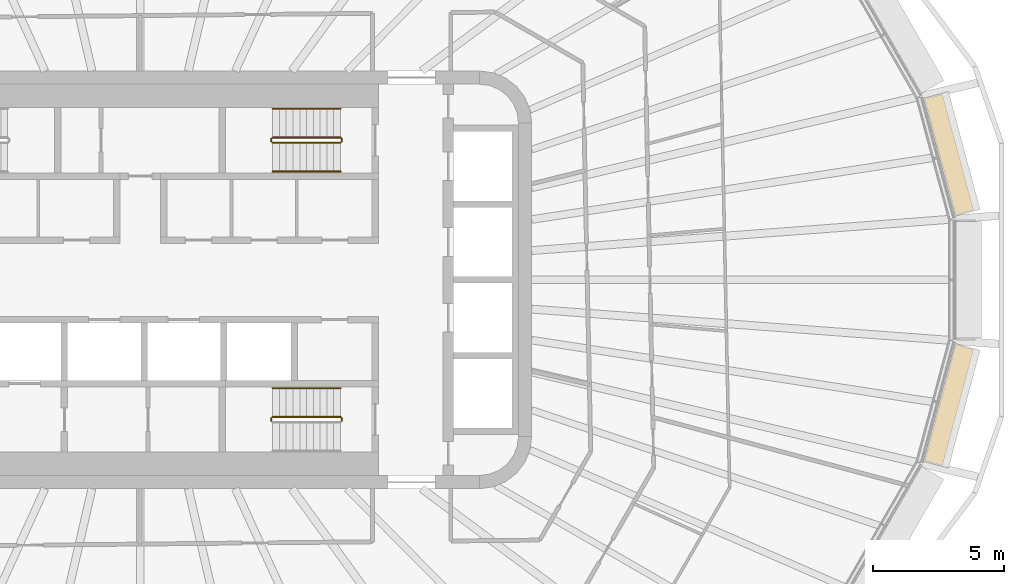
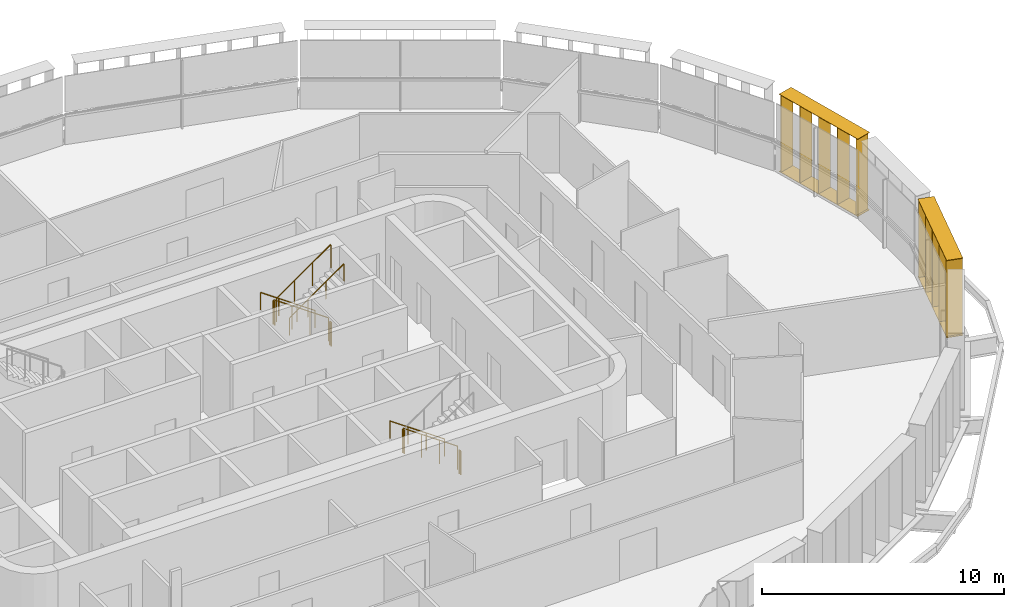
# One storey, part 21 of 23: 10 railings, 2 shading devices.
"""IFC4 building model written with IfcOpenShell, lengths in metres."""

from ifc_helpers import new_model, si_unit, direction, frame, origin, origin_2d, place, context, subcontext, project, spatial, rectangle, circle, extrude, material, type_object, element, save


model = new_model("IFC4")

# Units and contexts
model_context = context("Model", 3, precision=1e-05, world=origin(), true_north=direction((0.0, 1.0)))
body_context = subcontext(model_context, "Body", "Model", "MODEL_VIEW")
ifc_project = project(units=[si_unit("LENGTHUNIT", "METRE"), si_unit("AREAUNIT", "SQUARE_METRE"), si_unit("VOLUMEUNIT", "CUBIC_METRE"), si_unit("PLANEANGLEUNIT", "RADIAN"), si_unit("MASSUNIT", "GRAM", prefix="KILO")], contexts=[model_context])

# Site, building, storey
site_placement = place(None, origin())
site = spatial("IfcSite", under=ifc_project, at=site_placement, CompositionType="ELEMENT")
building_placement = place(site_placement, origin())
building = spatial("IfcBuilding", under=site, at=building_placement, Name="Sahrelin Media Tower", CompositionType="ELEMENT")
storey_placement = place(building_placement, frame((0.0, 0.0, 169.60009765625)))
storey = spatial("IfcBuildingStorey", under=building, at=storey_placement, Name="L35", CompositionType="ELEMENT", Elevation=169.60009765625)

# Shading devices
ifc_material_1 = material(Name="Champagne anodised aluminium 6063-T6", Category="aluminium")
shading_device_type = type_object("IfcShadingDeviceType", Name="Fin cassette", PredefinedType="USERDEFINED", material=ifc_material_1)
shading_device_1_placement = place(storey_placement, frame((30.585205078125, 4.6884765625, 0.0), z_axis=(0.0, 0.0, 1.0), x_axis=(0.258807731996, -0.965928857556, 0.0)))
element("IfcShadingDevice", 1, at=shading_device_1_placement, inside=storey, type_object=shading_device_type, Name="L35:FIN:L35-01", ObjectType="FIN", PredefinedType="USERDEFINED", context=body_context, shape_type="SweptSolid", body=[
    extrude(rectangle(XDim=4.60009765625, YDim=0.699951171875, at=origin_2d()), frame((0.0, 0.419921875, 0.0)), (0.0, 0.0, 1.0), 0.02001953125),
    extrude(rectangle(XDim=4.60009765625, YDim=0.699951171875, at=origin_2d()), frame((0.0, 0.419921875, 3.89990234375)), (0.0, 0.0, 1.0), 0.02001953125),
    extrude(rectangle(XDim=0.02001953125, YDim=0.699951171875, at=origin_2d()), frame((-2.199951171875, 0.419921875, 0.010009765625), z_axis=(0.0, 0.0, 1.0), x_axis=(1.0, 0.0, 0.0)), (0.0, 0.0, 1.0), 3.89990234375),
    extrude(rectangle(XDim=0.02001953125, YDim=0.699951171875, at=origin_2d()), frame((-1.10009765625, 0.419921875, 0.010009765625), z_axis=(0.0, 0.0, 1.0), x_axis=(1.0, 0.0, 0.0)), (0.0, 0.0, 1.0), 3.89990234375),
    extrude(rectangle(XDim=0.02001953125, YDim=0.699951171875, at=origin_2d()), frame((0.0, 0.419921875, 0.010009765625), z_axis=(0.0, 0.0, 1.0), x_axis=(1.0, 0.0, 0.0)), (0.0, 0.0, 1.0), 3.89990234375),
    extrude(rectangle(XDim=0.02001953125, YDim=0.699951171875, at=origin_2d()), frame((1.10009765625, 0.419921875, 0.010009765625), z_axis=(0.0, 0.0, 1.0), x_axis=(1.0, 0.0, 0.0)), (0.0, 0.0, 1.0), 3.89990234375),
    extrude(rectangle(XDim=0.02001953125, YDim=0.699951171875, at=origin_2d()), frame((2.199951171875, 0.419921875, 0.010009765625), z_axis=(0.0, 0.0, 1.0), x_axis=(1.0, 0.0, 0.0)), (0.0, 0.0, 1.0), 3.89990234375),
])
shading_device_2_placement = place(storey_placement, frame((30.585205078125, -4.6884765625, 0.0), z_axis=(0.0, 0.0, 1.0), x_axis=(-0.258807731996, -0.965928857556, 0.0)))
element("IfcShadingDevice", 2, at=shading_device_2_placement, inside=storey, type_object=shading_device_type, Name="L35:FIN:L35-23", ObjectType="FIN", PredefinedType="USERDEFINED", context=body_context, shape_type="SweptSolid", body=[
    extrude(rectangle(XDim=4.60009765625, YDim=0.699951171875, at=origin_2d()), frame((0.0, 0.419921875, 0.0)), (0.0, 0.0, 1.0), 0.02001953125),
    extrude(rectangle(XDim=4.60009765625, YDim=0.699951171875, at=origin_2d()), frame((0.0, 0.419921875, 3.89990234375)), (0.0, 0.0, 1.0), 0.02001953125),
    extrude(rectangle(XDim=0.02001953125, YDim=0.699951171875, at=origin_2d()), frame((-2.199951171875, 0.419921875, 0.010009765625), z_axis=(0.0, 0.0, 1.0), x_axis=(1.0, 0.0, 0.0)), (0.0, 0.0, 1.0), 3.89990234375),
    extrude(rectangle(XDim=0.02001953125, YDim=0.699951171875, at=origin_2d()), frame((-1.10009765625, 0.419921875, 0.010009765625), z_axis=(0.0, 0.0, 1.0), x_axis=(1.0, 0.0, 0.0)), (0.0, 0.0, 1.0), 3.89990234375),
    extrude(rectangle(XDim=0.02001953125, YDim=0.699951171875, at=origin_2d()), frame((0.0, 0.419921875, 0.010009765625), z_axis=(0.0, 0.0, 1.0), x_axis=(1.0, 0.0, 0.0)), (0.0, 0.0, 1.0), 3.89990234375),
    extrude(rectangle(XDim=0.02001953125, YDim=0.699951171875, at=origin_2d()), frame((1.10009765625, 0.419921875, 0.010009765625), z_axis=(0.0, 0.0, 1.0), x_axis=(1.0, 0.0, 0.0)), (0.0, 0.0, 1.0), 3.89990234375),
    extrude(rectangle(XDim=0.02001953125, YDim=0.699951171875, at=origin_2d()), frame((2.199951171875, 0.419921875, 0.010009765625), z_axis=(0.0, 0.0, 1.0), x_axis=(1.0, 0.0, 0.0)), (0.0, 0.0, 1.0), 3.89990234375),
])

# Railings
ifc_material_2 = material(Name="Steel S355", Category="steel")
railing_type_1 = type_object("IfcRailingType", Name="Stair guard 1200", PredefinedType="GUARDRAIL", material=ifc_material_2)
railing_1_placement = place(storey_placement, frame((7.675048828125, 5.449951171875, 0.181640625)))
element("IfcRailing", 3, at=railing_1_placement, inside=storey, type_object=railing_type_1, Name="L35 ST3 stair guard 1", PredefinedType="GUARDRAIL", context=body_context, shape_type="SweptSolid", body=[
    extrude(circle(Radius=0.02392578125, at=origin_2d()), frame((0.0, 0.0, 1.17578125), z_axis=(-0.819484887739, 0.0, 0.573100792852), x_axis=(0.0, -1.0, 0.0)), (0.0, 0.0, 1.0), 3.1728515625),
    extrude(circle(Radius=0.02099609375, at=origin_2d()), origin(), (0.0, 0.0, 1.0), 1.15185546875),
    extrude(circle(Radius=0.02099609375, at=origin_2d()), frame((-0.86669921875, 0.0, 0.606201171875)), (0.0, 0.0, 1.0), 1.15185546875),
    extrude(circle(Radius=0.02099609375, at=origin_2d()), frame((-1.7333984375, 0.0, 1.212158203125)), (0.0, 0.0, 1.0), 1.15185546875),
    extrude(circle(Radius=0.02099609375, at=origin_2d()), frame((-2.60009765625, 0.0, 1.818359375)), (0.0, 0.0, 1.0), 1.15185546875),
])
railing_2_placement = place(storey_placement, frame((5.02490234375, 5.39990234375, 2.0)))
element("IfcRailing", 4, at=railing_2_placement, inside=storey, type_object=railing_type_1, Name="L35 ST3 stair guard 2", PredefinedType="GUARDRAIL", context=body_context, shape_type="SweptSolid", body=[
    extrude(circle(Radius=0.02392578125, at=origin_2d()), frame((0.0, 0.0, 1.17578125), z_axis=(0.0, -1.0, 0.0), x_axis=(1.0, 0.0, 0.0)), (0.0, 0.0, 1.0), 0.099853515625),
    extrude(circle(Radius=0.02099609375, at=origin_2d()), origin(), (0.0, 0.0, 1.0), 1.15185546875),
    extrude(circle(Radius=0.02099609375, at=origin_2d()), frame((0.0, -0.099853515625, 0.0)), (0.0, 0.0, 1.0), 1.15185546875),
])
railing_3_placement = place(storey_placement, frame((5.074951171875, 5.25, 2.181640625)))
element("IfcRailing", 5, at=railing_3_placement, inside=storey, type_object=railing_type_1, Name="L35 ST3 stair guard 3", PredefinedType="GUARDRAIL", context=body_context, shape_type="SweptSolid", body=[
    extrude(circle(Radius=0.02392578125, at=origin_2d()), frame((0.0, 0.0, 1.17578125), z_axis=(0.819484887739, 0.0, 0.573100792852), x_axis=(0.0, 1.0, 0.0)), (0.0, 0.0, 1.0), 3.1728515625),
    extrude(circle(Radius=0.02099609375, at=origin_2d()), origin(), (0.0, 0.0, 1.0), 1.15185546875),
    extrude(circle(Radius=0.02099609375, at=origin_2d()), frame((0.86669921875, 0.0, 0.606201171875)), (0.0, 0.0, 1.0), 1.15185546875),
    extrude(circle(Radius=0.02099609375, at=origin_2d()), frame((1.7333984375, 0.0, 1.212158203125)), (0.0, 0.0, 1.0), 1.15185546875),
    extrude(circle(Radius=0.02099609375, at=origin_2d()), frame((2.60009765625, 0.0, 1.818359375)), (0.0, 0.0, 1.0), 1.15185546875),
])
railing_4_placement = place(storey_placement, frame((7.72509765625, 5.39990234375, 0.0)))
element("IfcRailing", 6, at=railing_4_placement, inside=storey, type_object=railing_type_1, Name="L35 ST3 stair guard 4", PredefinedType="GUARDRAIL", context=body_context, shape_type="SweptSolid", body=[
    extrude(circle(Radius=0.02392578125, at=origin_2d()), frame((0.0, 0.0, 1.17578125), z_axis=(0.0, -1.0, 0.0), x_axis=(1.0, 0.0, 0.0)), (0.0, 0.0, 1.0), 0.099853515625),
    extrude(circle(Radius=0.02099609375, at=origin_2d()), origin(), (0.0, 0.0, 1.0), 1.15185546875),
    extrude(circle(Radius=0.02099609375, at=origin_2d()), frame((0.0, -0.099853515625, 0.0)), (0.0, 0.0, 1.0), 1.15185546875),
])
railing_5_placement = place(storey_placement, frame((7.675048828125, -5.25, 0.181640625)))
element("IfcRailing", 7, at=railing_5_placement, inside=storey, type_object=railing_type_1, Name="L35 ST2 stair guard 1", PredefinedType="GUARDRAIL", context=body_context, shape_type="SweptSolid", body=[
    extrude(circle(Radius=0.02392578125, at=origin_2d()), frame((0.0, 0.0, 1.17578125), z_axis=(-0.819484887739, 0.0, 0.573100792852), x_axis=(0.0, -1.0, 0.0)), (0.0, 0.0, 1.0), 3.1728515625),
    extrude(circle(Radius=0.02099609375, at=origin_2d()), origin(), (0.0, 0.0, 1.0), 1.15185546875),
    extrude(circle(Radius=0.02099609375, at=origin_2d()), frame((-0.86669921875, 0.0, 0.606201171875)), (0.0, 0.0, 1.0), 1.15185546875),
    extrude(circle(Radius=0.02099609375, at=origin_2d()), frame((-1.7333984375, 0.0, 1.212158203125)), (0.0, 0.0, 1.0), 1.15185546875),
    extrude(circle(Radius=0.02099609375, at=origin_2d()), frame((-2.60009765625, 0.0, 1.818359375)), (0.0, 0.0, 1.0), 1.15185546875),
])
for number, where, name in (
    (8, (5.02490234375, -5.300048828125, 2.0), "L35 ST2 stair guard 2"),
    (9, (7.72509765625, -5.300048828125, 0.0), "L35 ST2 stair guard 4"),
):
    element("IfcRailing", number, at=place(storey_placement, frame(where)), inside=storey, type_object=railing_type_1, Name=name, PredefinedType="GUARDRAIL", context=body_context, shape_type="SweptSolid", body=[
        extrude(circle(Radius=0.02392578125, at=origin_2d()), frame((0.0, 0.0, 1.17578125), z_axis=(0.0, -1.0, 0.0), x_axis=(1.0, 0.0, 0.0)), (0.0, 0.0, 1.0), 0.099853515625),
        extrude(circle(Radius=0.02099609375, at=origin_2d()), origin(), (0.0, 0.0, 1.0), 1.15185546875),
        extrude(circle(Radius=0.02099609375, at=origin_2d()), frame((0.0, -0.099853515625, 0.0)), (0.0, 0.0, 1.0), 1.15185546875),
    ])
railing_type_2 = type_object("IfcRailingType", Name="Stair handrail 900", PredefinedType="HANDRAIL", material=ifc_material_2)
railing_6_placement = place(storey_placement, frame((7.675048828125, 6.550048828125, 0.181640625)))
element("IfcRailing", 10, at=railing_6_placement, inside=storey, type_object=railing_type_2, Name="L35 ST3 stair handrail 1", PredefinedType="HANDRAIL", context=body_context, shape_type="SweptSolid", body=[
    extrude(circle(Radius=0.02392578125, at=origin_2d()), frame((0.0, 0.0, 0.8759765625), z_axis=(-0.819484887739, 0.0, 0.573100792852), x_axis=(0.0, -1.0, 0.0)), (0.0, 0.0, 1.0), 3.1728515625),
    extrude(circle(Radius=0.02099609375, at=origin_2d()), origin(), (0.0, 0.0, 1.0), 0.851806640625),
    extrude(circle(Radius=0.02099609375, at=origin_2d()), frame((-0.86669921875, 0.0, 0.606201171875)), (0.0, 0.0, 1.0), 0.851806640625),
    extrude(circle(Radius=0.02099609375, at=origin_2d()), frame((-1.7333984375, 0.0, 1.212158203125)), (0.0, 0.0, 1.0), 0.851806640625),
    extrude(circle(Radius=0.02099609375, at=origin_2d()), frame((-2.60009765625, 0.0, 1.818359375)), (0.0, 0.0, 1.0), 0.851806640625),
])
railing_7_placement = place(storey_placement, frame((5.074951171875, 4.14990234375, 2.181640625)))
element("IfcRailing", 11, at=railing_7_placement, inside=storey, type_object=railing_type_2, Name="L35 ST3 stair handrail 2", PredefinedType="HANDRAIL", context=body_context, shape_type="SweptSolid", body=[
    extrude(circle(Radius=0.02392578125, at=origin_2d()), frame((0.0, 0.0, 0.8759765625), z_axis=(0.819484887739, 0.0, 0.573100792852), x_axis=(0.0, 1.0, 0.0)), (0.0, 0.0, 1.0), 3.1728515625),
    extrude(circle(Radius=0.02099609375, at=origin_2d()), origin(), (0.0, 0.0, 1.0), 0.851806640625),
    extrude(circle(Radius=0.02099609375, at=origin_2d()), frame((0.86669921875, 0.0, 0.606201171875)), (0.0, 0.0, 1.0), 0.851806640625),
    extrude(circle(Radius=0.02099609375, at=origin_2d()), frame((1.7333984375, 0.0, 1.212158203125)), (0.0, 0.0, 1.0), 0.851806640625),
    extrude(circle(Radius=0.02099609375, at=origin_2d()), frame((2.60009765625, 0.0, 1.818359375)), (0.0, 0.0, 1.0), 0.851806640625),
])
railing_8_placement = place(storey_placement, frame((7.675048828125, -4.14990234375, 0.181640625)))
element("IfcRailing", 12, at=railing_8_placement, inside=storey, type_object=railing_type_2, Name="L35 ST2 stair handrail 1", PredefinedType="HANDRAIL", context=body_context, shape_type="SweptSolid", body=[
    extrude(circle(Radius=0.02392578125, at=origin_2d()), frame((0.0, 0.0, 0.8759765625), z_axis=(-0.819484887739, 0.0, 0.573100792852), x_axis=(0.0, -1.0, 0.0)), (0.0, 0.0, 1.0), 3.1728515625),
    extrude(circle(Radius=0.02099609375, at=origin_2d()), origin(), (0.0, 0.0, 1.0), 0.851806640625),
    extrude(circle(Radius=0.02099609375, at=origin_2d()), frame((-0.86669921875, 0.0, 0.606201171875)), (0.0, 0.0, 1.0), 0.851806640625),
    extrude(circle(Radius=0.02099609375, at=origin_2d()), frame((-1.7333984375, 0.0, 1.212158203125)), (0.0, 0.0, 1.0), 0.851806640625),
    extrude(circle(Radius=0.02099609375, at=origin_2d()), frame((-2.60009765625, 0.0, 1.818359375)), (0.0, 0.0, 1.0), 0.851806640625),
])

save(model, "model.ifc")
